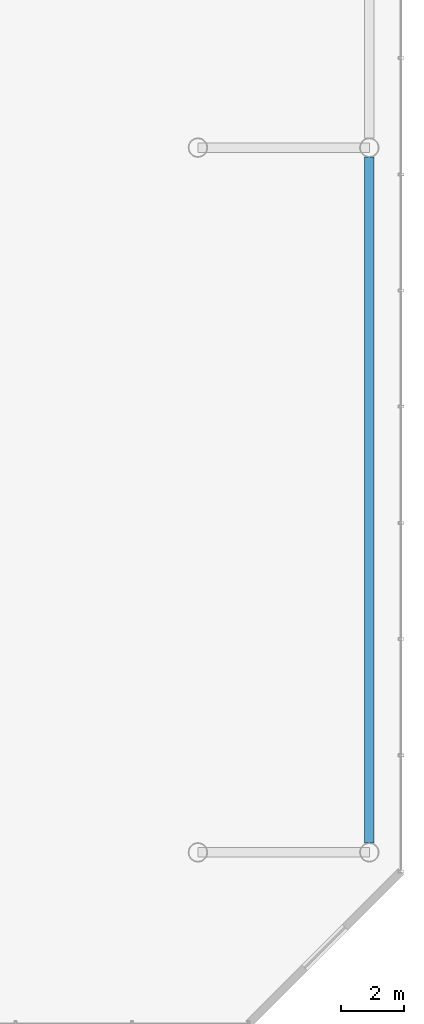
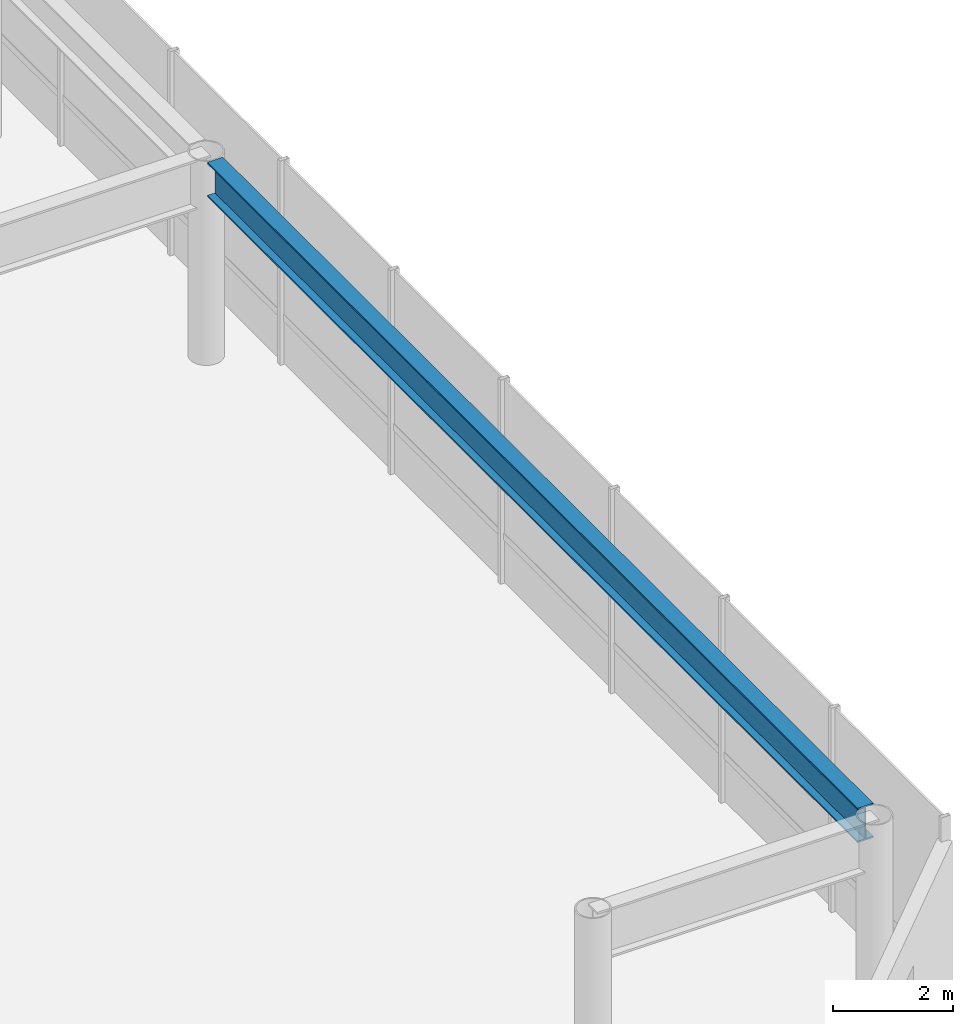
# One storey, part 27 of 37: 1 beam.
"""IFC4 building model written with IfcOpenShell, lengths in metres."""

import ifcopenshell
import ifcopenshell.guid

model = None  # the IFC model being written
_history = None  # IfcOwnerHistory: only IFC2X3 demands one
_inside = {}  # id of a spatial element -> (the spatial element, [elements in it])
_under = {}  # id of a project, library or spatial element -> (it, [spatial elements below it])
_declared = {}  # id of a project -> (the project, [libraries it declares])
_typed = {}  # id of a type object -> (the type object, [elements of that type])
_made_of = {}  # id of a material, layer set ... -> (it, [elements and type objects made of it])


def new_model(schema):
    """Start an empty IFC model of exactly this schema.

    Asked for "IFC4X3", IfcOpenShell would pick the latest addendum, in which some entities
    have other attributes; the version numbers below select the first issue.
    IFC2X3 requires an IfcOwnerHistory on every rooted entity: one is made here for all.
    """
    global model, _history
    if schema == "IFC4X3":
        model = ifcopenshell.file(schema_version=(4, 3, 0, 0))
    else:
        model = ifcopenshell.file(schema=schema)
    _inside.clear()
    _under.clear()
    _declared.clear()
    _typed.clear()
    _made_of.clear()
    _history = None
    if model.schema == "IFC2X3":
        org = make("IfcOrganization", Name="unknown")
        user = make(
            "IfcPersonAndOrganization",
            ThePerson=make("IfcPerson", FamilyName="unknown"),
            TheOrganization=org,
        )
        app = make(
            "IfcApplication",
            ApplicationDeveloper=org,
            Version="unknown",
            ApplicationFullName="unknown",
            ApplicationIdentifier="unknown",
        )
        _history = make(
            "IfcOwnerHistory",
            OwningUser=user,
            OwningApplication=app,
            ChangeAction="ADDED",
            CreationDate=0,
        )
    return model


def make(cls, **values):
    """One entity of the class cls with the attributes given. An attribute that is None is left unset."""
    return model.create_entity(
        cls, **{name: value for name, value in values.items() if value is not None}
    )


def rooted(cls, **values):
    """An entity with a GlobalId (a new one), such as an element, a storey or a relation."""
    return make(cls, GlobalId=ifcopenshell.guid.new(), OwnerHistory=_history, **values)


def si_unit(unit_type, name, prefix=None):
    """IfcSIUnit, for example si_unit("LENGTHUNIT", "METRE", prefix="MILLI")."""
    return make("IfcSIUnit", UnitType=unit_type, Prefix=prefix, Name=name)


def assignment(units):
    """IfcUnitAssignment: the units of a project."""
    return None if units is None else make("IfcUnitAssignment", Units=units)


def point(xyz):
    """IfcCartesianPoint."""
    return None if xyz is None else make("IfcCartesianPoint", Coordinates=xyz)


def direction(xyz):
    """IfcDirection."""
    return None if xyz is None else make("IfcDirection", DirectionRatios=xyz)


def frame(location, z_axis=None, x_axis=None):
    """IfcAxis2Placement3D, a coordinate frame: its origin and axes. An axis left out is left unset."""
    return make(
        "IfcAxis2Placement3D",
        Location=point(location),
        Axis=direction(z_axis),
        RefDirection=direction(x_axis),
    )


def frame_2d(location, x_axis=None):
    """IfcAxis2Placement2D, a coordinate frame in the plane: its origin and x axis."""
    return make(
        "IfcAxis2Placement2D", Location=point(location), RefDirection=direction(x_axis)
    )


def origin():
    """The frame at (0, 0, 0) with its axes left unset."""
    return frame((0.0, 0.0, 0.0))


def origin_2d():
    """The frame at (0, 0) in the plane with its x axis left unset."""
    return frame_2d((0.0, 0.0))


def place(relative_to, where):
    """IfcLocalPlacement: puts the frame where relative to a parent placement (None: the world)."""
    return make(
        "IfcLocalPlacement", PlacementRelTo=relative_to, RelativePlacement=where
    )


def context(
    kind, dimensions, precision=None, world=None, true_north=None, identifier=None
):
    """IfcGeometricRepresentationContext, for example the 3D "Model" context."""
    return make(
        "IfcGeometricRepresentationContext",
        ContextIdentifier=identifier,
        ContextType=kind,
        CoordinateSpaceDimension=dimensions,
        Precision=precision,
        WorldCoordinateSystem=world,
        TrueNorth=true_north,
    )


def subcontext(parent, identifier, kind, view, scale=None):
    """IfcGeometricRepresentationSubContext, for example "Body" below "Model"."""
    return make(
        "IfcGeometricRepresentationSubContext",
        ContextIdentifier=identifier,
        ContextType=kind,
        ParentContext=parent,
        TargetScale=scale,
        TargetView=view,
    )


def project(units=None, contexts=None):
    """IfcProject with its units and contexts."""
    return rooted(
        "IfcProject",
        Name="project",
        RepresentationContexts=contexts,
        UnitsInContext=assignment(units),
    )


def spatial(cls, under=None, at=None, **own):
    """A site, building, storey or space (cls), placed at a placement, below another one or the project."""
    s = rooted(cls, ObjectPlacement=at, **own)
    if under is not None:
        _under.setdefault(under.id(), (under, []))[1].append(s)
    return s


def profile(cls, at=None, kind="AREA", **sizes):
    """A parametric profile (cls). Its sizes go by their IFC names, for example OverallWidth=200.0."""
    return make(cls, ProfileType=kind, Position=at, **sizes)


def i_section(**sizes):
    """IfcIShapeProfileDef."""
    return profile("IfcIShapeProfileDef", **sizes)


def extrude(swept, where, along, depth):
    """IfcExtrudedAreaSolid: the profile swept, set in the frame where, extruded along a direction by depth."""
    return make(
        "IfcExtrudedAreaSolid",
        SweptArea=swept,
        Position=where,
        ExtrudedDirection=direction(along),
        Depth=depth,
    )


def shape(context_of_items, identifier, shape_type, items):
    """IfcShapeRepresentation: the items that make up one representation, for example the "Body"."""
    return make(
        "IfcShapeRepresentation",
        ContextOfItems=context_of_items,
        RepresentationIdentifier=identifier,
        RepresentationType=shape_type,
        Items=items,
    )


def material(Name=None, Category=None):
    """IfcMaterial."""
    return make("IfcMaterial", Name=Name, Category=Category)


def material_profile(
    of_material, cross_section, Name=None, Category=None, Priority=None
):
    """IfcMaterialProfile: a cross section and its material."""
    return make(
        "IfcMaterialProfile",
        Name=Name,
        Material=of_material,
        Profile=cross_section,
        Priority=Priority,
        Category=Category,
    )


def profile_set(profiles, Name=None, composite=None):
    """IfcMaterialProfileSet."""
    return make(
        "IfcMaterialProfileSet",
        Name=Name,
        MaterialProfiles=profiles,
        CompositeProfile=composite,
    )


def made_of(thing, what):
    """Note that an element or type object is made of a material, layer set ...; save() writes the relation."""
    if what is not None:
        _made_of.setdefault(what.id(), (what, []))[1].append(thing)
    return thing


def type_object(cls, material=None, **own):
    """A type object (cls), such as IfcWallType, which elements share."""
    return made_of(rooted(cls, **own), material)


def element(
    cls,
    number,
    at=None,
    inside=None,
    cuts=None,
    type_object=None,
    material=None,
    context=None,
    identifier="Body",
    shape_type=None,
    held_by="IfcProductDefinitionShape",
    body=None,
    shapes=None,
    **own,
):
    """One element of the class cls, such as IfcWall. Its Tag is "e" and its number.

    at: its placement. inside: the storey or other place that contains it. cuts: it is an
    opening in that element (IfcRelVoidsElement). A single representation is given by context,
    identifier, shape_type and body (its items); several are given by shapes. held_by: the class
    of the entity that holds the representations. save() writes the other relations.
    """
    e = rooted(cls, Tag="e%d" % number, ObjectPlacement=at, **own)
    if body is not None:
        shapes = [shape(context, identifier, shape_type, body)]
    if shapes is not None:
        e.Representation = make(held_by, Representations=shapes)
    if inside is not None:
        _inside.setdefault(inside.id(), (inside, []))[1].append(e)
    if cuts is not None:
        rooted(
            "IfcRelVoidsElement", RelatingBuildingElement=cuts, RelatedOpeningElement=e
        )
    if type_object is not None:
        _typed.setdefault(type_object.id(), (type_object, []))[1].append(e)
    return made_of(e, material)


def aggregate(whole, parts):
    """IfcRelAggregates: a whole, such as a stair, and the parts it consists of."""
    return rooted("IfcRelAggregates", RelatingObject=whole, RelatedObjects=parts)


def save(model, path):
    """Write the relations noted so far, then the file.

    IfcRelAggregates (storeys below a building ...), IfcRelContainedInSpatialStructure (elements
    in a storey), IfcRelDefinesByType, IfcRelAssociatesMaterial and IfcRelDeclares: one each for
    every whole, place, type object, material and project.
    """
    for whole, parts in _under.values():
        aggregate(whole, parts)
    for where, things in _inside.values():
        rooted(
            "IfcRelContainedInSpatialStructure",
            RelatedElements=things,
            RelatingStructure=where,
        )
    for kind, things in _typed.values():
        rooted("IfcRelDefinesByType", RelatedObjects=things, RelatingType=kind)
    for what, things in _made_of.values():
        rooted("IfcRelAssociatesMaterial", RelatedObjects=things, RelatingMaterial=what)
    for by, libraries in _declared.values():
        rooted("IfcRelDeclares", RelatingContext=by, RelatedDefinitions=libraries)
    model.write(path)


model = new_model("IFC4")

# Units and contexts
model_context = context("Model", 3, precision=1e-05, world=origin(), true_north=direction((0.0, 1.0)))
body_context = subcontext(model_context, "Body", "Model", "MODEL_VIEW")
ifc_project = project(units=[si_unit("LENGTHUNIT", "METRE"), si_unit("AREAUNIT", "SQUARE_METRE"), si_unit("VOLUMEUNIT", "CUBIC_METRE"), si_unit("PLANEANGLEUNIT", "RADIAN"), si_unit("MASSUNIT", "GRAM", prefix="KILO")], contexts=[model_context])

# Site, building, storey
site_placement = place(None, origin())
site = spatial("IfcSite", under=ifc_project, at=site_placement, CompositionType="ELEMENT")
building_placement = place(site_placement, origin())
building = spatial("IfcBuilding", under=site, at=building_placement, Name="Zarrinselat Tower", CompositionType="ELEMENT")
storey_placement = place(building_placement, frame((0.0, 0.0, 9.52001953125)))
storey = spatial("IfcBuildingStorey", under=building, at=storey_placement, Name="L02", CompositionType="ELEMENT", Elevation=9.52001953125)

# Beam
ifc_material = material(Name="Steel S355J2", Category="steel")
ifc_material_profile = material_profile(ifc_material, i_section(OverallWidth=0.300048828125, OverallDepth=0.699951171875, WebThickness=0.01708984375, FlangeThickness=0.031982421875, at=origin_2d()), Name="HEB 700")
ifc_profile_set = profile_set([ifc_material_profile], Name="Steel S355J2")
beam_type = type_object("IfcBeamType", Name="BM-HEB700", PredefinedType="SPANDREL", material=ifc_profile_set)
beam_placement = place(storey_placement, frame((73.39990234375, 11.300048828125, 3.7900390625), z_axis=(0.0, 1.0, 0.0), x_axis=(-1.0, 0.0, 0.0)))
element("IfcBeam", 1, at=beam_placement, inside=storey, type_object=beam_type, Name="L02 Podium Perimeter Beam E-11", PredefinedType="SPANDREL", context=body_context, shape_type="SweptSolid", body=[
    extrude(i_section(OverallWidth=0.300048828125, OverallDepth=0.699951171875, WebThickness=0.01708984375, FlangeThickness=0.031982421875, at=origin_2d()), origin(), (0.0, 0.0, 1.0), 21.599853515625),
])

save(model, "model.ifc")
